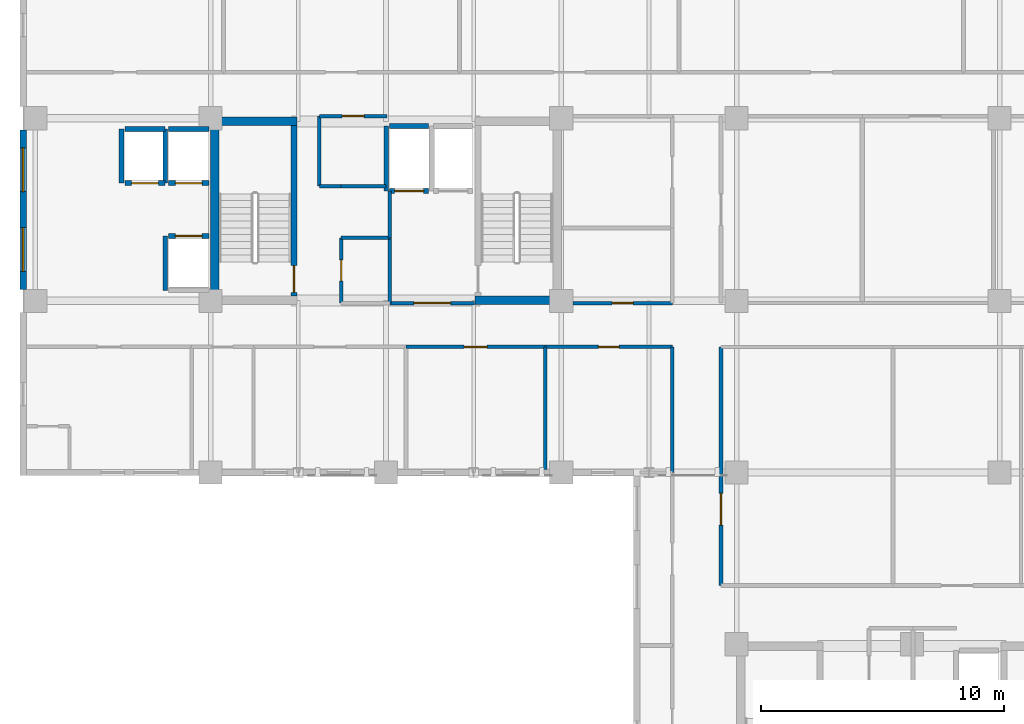
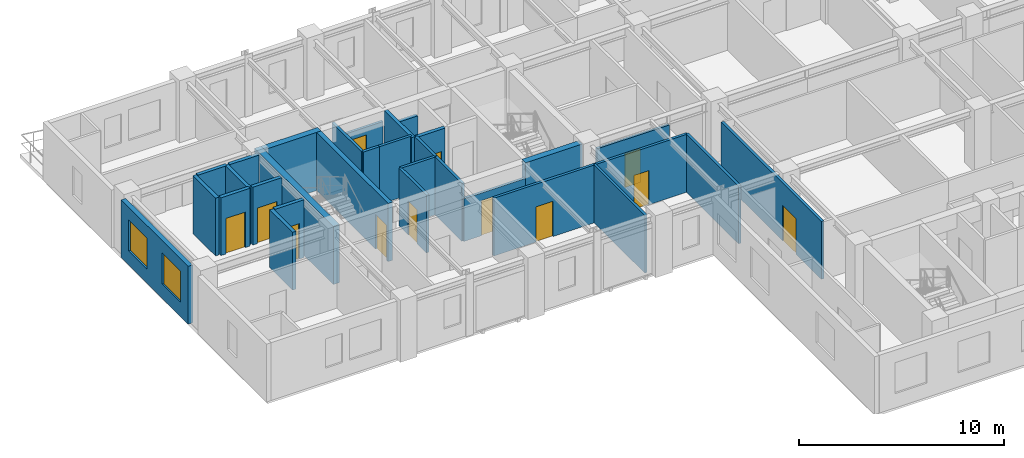
# One storey, part 6 of 13: 31 walls, 12 doors, 2 windows, 14 openings.
"""IFC4 building model written with IfcOpenShell, lengths in metres."""

import ifcopenshell
import ifcopenshell.guid

model = None  # the IFC model being written
_history = None  # IfcOwnerHistory: only IFC2X3 demands one
_inside = {}  # id of a spatial element -> (the spatial element, [elements in it])
_under = {}  # id of a project, library or spatial element -> (it, [spatial elements below it])
_declared = {}  # id of a project -> (the project, [libraries it declares])
_typed = {}  # id of a type object -> (the type object, [elements of that type])
_made_of = {}  # id of a material, layer set ... -> (it, [elements and type objects made of it])


def new_model(schema):
    """Start an empty IFC model of exactly this schema.

    Asked for "IFC4X3", IfcOpenShell would pick the latest addendum, in which some entities
    have other attributes; the version numbers below select the first issue.
    IFC2X3 requires an IfcOwnerHistory on every rooted entity: one is made here for all.
    """
    global model, _history
    if schema == "IFC4X3":
        model = ifcopenshell.file(schema_version=(4, 3, 0, 0))
    else:
        model = ifcopenshell.file(schema=schema)
    _inside.clear()
    _under.clear()
    _declared.clear()
    _typed.clear()
    _made_of.clear()
    _history = None
    if model.schema == "IFC2X3":
        org = make("IfcOrganization", Name="unknown")
        user = make(
            "IfcPersonAndOrganization",
            ThePerson=make("IfcPerson", FamilyName="unknown"),
            TheOrganization=org,
        )
        app = make(
            "IfcApplication",
            ApplicationDeveloper=org,
            Version="unknown",
            ApplicationFullName="unknown",
            ApplicationIdentifier="unknown",
        )
        _history = make(
            "IfcOwnerHistory",
            OwningUser=user,
            OwningApplication=app,
            ChangeAction="ADDED",
            CreationDate=0,
        )
    return model


def make(cls, **values):
    """One entity of the class cls with the attributes given. An attribute that is None is left unset."""
    return model.create_entity(
        cls, **{name: value for name, value in values.items() if value is not None}
    )


def rooted(cls, **values):
    """An entity with a GlobalId (a new one), such as an element, a storey or a relation."""
    return make(cls, GlobalId=ifcopenshell.guid.new(), OwnerHistory=_history, **values)


def si_unit(unit_type, name, prefix=None):
    """IfcSIUnit, for example si_unit("LENGTHUNIT", "METRE", prefix="MILLI")."""
    return make("IfcSIUnit", UnitType=unit_type, Prefix=prefix, Name=name)


def assignment(units):
    """IfcUnitAssignment: the units of a project."""
    return None if units is None else make("IfcUnitAssignment", Units=units)


def point(xyz):
    """IfcCartesianPoint."""
    return None if xyz is None else make("IfcCartesianPoint", Coordinates=xyz)


def direction(xyz):
    """IfcDirection."""
    return None if xyz is None else make("IfcDirection", DirectionRatios=xyz)


def frame(location, z_axis=None, x_axis=None):
    """IfcAxis2Placement3D, a coordinate frame: its origin and axes. An axis left out is left unset."""
    return make(
        "IfcAxis2Placement3D",
        Location=point(location),
        Axis=direction(z_axis),
        RefDirection=direction(x_axis),
    )


def frame_2d(location, x_axis=None):
    """IfcAxis2Placement2D, a coordinate frame in the plane: its origin and x axis."""
    return make(
        "IfcAxis2Placement2D", Location=point(location), RefDirection=direction(x_axis)
    )


def origin():
    """The frame at (0, 0, 0) with its axes left unset."""
    return frame((0.0, 0.0, 0.0))


def place(relative_to, where):
    """IfcLocalPlacement: puts the frame where relative to a parent placement (None: the world)."""
    return make(
        "IfcLocalPlacement", PlacementRelTo=relative_to, RelativePlacement=where
    )


def context(
    kind, dimensions, precision=None, world=None, true_north=None, identifier=None
):
    """IfcGeometricRepresentationContext, for example the 3D "Model" context."""
    return make(
        "IfcGeometricRepresentationContext",
        ContextIdentifier=identifier,
        ContextType=kind,
        CoordinateSpaceDimension=dimensions,
        Precision=precision,
        WorldCoordinateSystem=world,
        TrueNorth=true_north,
    )


def subcontext(parent, identifier, kind, view, scale=None):
    """IfcGeometricRepresentationSubContext, for example "Body" below "Model"."""
    return make(
        "IfcGeometricRepresentationSubContext",
        ContextIdentifier=identifier,
        ContextType=kind,
        ParentContext=parent,
        TargetScale=scale,
        TargetView=view,
    )


def project(units=None, contexts=None):
    """IfcProject with its units and contexts."""
    return rooted(
        "IfcProject",
        Name="project",
        RepresentationContexts=contexts,
        UnitsInContext=assignment(units),
    )


def spatial(cls, under=None, at=None, **own):
    """A site, building, storey or space (cls), placed at a placement, below another one or the project."""
    s = rooted(cls, ObjectPlacement=at, **own)
    if under is not None:
        _under.setdefault(under.id(), (under, []))[1].append(s)
    return s


def profile(cls, at=None, kind="AREA", **sizes):
    """A parametric profile (cls). Its sizes go by their IFC names, for example OverallWidth=200.0."""
    return make(cls, ProfileType=kind, Position=at, **sizes)


def rectangle(**sizes):
    """IfcRectangleProfileDef."""
    return profile("IfcRectangleProfileDef", **sizes)


def extrude(swept, where, along, depth):
    """IfcExtrudedAreaSolid: the profile swept, set in the frame where, extruded along a direction by depth."""
    return make(
        "IfcExtrudedAreaSolid",
        SweptArea=swept,
        Position=where,
        ExtrudedDirection=direction(along),
        Depth=depth,
    )


def shape(context_of_items, identifier, shape_type, items):
    """IfcShapeRepresentation: the items that make up one representation, for example the "Body"."""
    return make(
        "IfcShapeRepresentation",
        ContextOfItems=context_of_items,
        RepresentationIdentifier=identifier,
        RepresentationType=shape_type,
        Items=items,
    )


def material(Name=None, Category=None):
    """IfcMaterial."""
    return make("IfcMaterial", Name=Name, Category=Category)


def layer(
    of_material, thickness, ventilated=None, Name=None, Category=None, Priority=None
):
    """IfcMaterialLayer: one layer of a wall or slab, of a material (None: an air gap)."""
    return make(
        "IfcMaterialLayer",
        Material=of_material,
        LayerThickness=thickness,
        IsVentilated=ventilated,
        Name=Name,
        Category=Category,
        Priority=Priority,
    )


def layer_set(layers, Name=None):
    """IfcMaterialLayerSet."""
    return make("IfcMaterialLayerSet", MaterialLayers=layers, LayerSetName=Name)


def made_of(thing, what):
    """Note that an element or type object is made of a material, layer set ...; save() writes the relation."""
    if what is not None:
        _made_of.setdefault(what.id(), (what, []))[1].append(thing)
    return thing


def type_object(cls, material=None, **own):
    """A type object (cls), such as IfcWallType, which elements share."""
    return made_of(rooted(cls, **own), material)


def element(
    cls,
    number,
    at=None,
    inside=None,
    cuts=None,
    type_object=None,
    material=None,
    context=None,
    identifier="Body",
    shape_type=None,
    held_by="IfcProductDefinitionShape",
    body=None,
    shapes=None,
    **own,
):
    """One element of the class cls, such as IfcWall. Its Tag is "e" and its number.

    at: its placement. inside: the storey or other place that contains it. cuts: it is an
    opening in that element (IfcRelVoidsElement). A single representation is given by context,
    identifier, shape_type and body (its items); several are given by shapes. held_by: the class
    of the entity that holds the representations. save() writes the other relations.
    """
    e = rooted(cls, Tag="e%d" % number, ObjectPlacement=at, **own)
    if body is not None:
        shapes = [shape(context, identifier, shape_type, body)]
    if shapes is not None:
        e.Representation = make(held_by, Representations=shapes)
    if inside is not None:
        _inside.setdefault(inside.id(), (inside, []))[1].append(e)
    if cuts is not None:
        rooted(
            "IfcRelVoidsElement", RelatingBuildingElement=cuts, RelatedOpeningElement=e
        )
    if type_object is not None:
        _typed.setdefault(type_object.id(), (type_object, []))[1].append(e)
    return made_of(e, material)


def fill(opening, filler):
    """IfcRelFillsElement: the door or window that sits in an opening."""
    return rooted(
        "IfcRelFillsElement",
        RelatingOpeningElement=opening,
        RelatedBuildingElement=filler,
    )


def aggregate(whole, parts):
    """IfcRelAggregates: a whole, such as a stair, and the parts it consists of."""
    return rooted("IfcRelAggregates", RelatingObject=whole, RelatedObjects=parts)


def save(model, path):
    """Write the relations noted so far, then the file.

    IfcRelAggregates (storeys below a building ...), IfcRelContainedInSpatialStructure (elements
    in a storey), IfcRelDefinesByType, IfcRelAssociatesMaterial and IfcRelDeclares: one each for
    every whole, place, type object, material and project.
    """
    for whole, parts in _under.values():
        aggregate(whole, parts)
    for where, things in _inside.values():
        rooted(
            "IfcRelContainedInSpatialStructure",
            RelatedElements=things,
            RelatingStructure=where,
        )
    for kind, things in _typed.values():
        rooted("IfcRelDefinesByType", RelatedObjects=things, RelatingType=kind)
    for what, things in _made_of.values():
        rooted("IfcRelAssociatesMaterial", RelatedObjects=things, RelatingMaterial=what)
    for by, libraries in _declared.values():
        rooted("IfcRelDeclares", RelatingContext=by, RelatedDefinitions=libraries)
    model.write(path)


model = new_model("IFC4")

# Units and contexts
model_context = context("Model", 3, precision=1e-05, world=origin(), true_north=direction((0.0, 1.0)))
body_context = subcontext(model_context, "Body", "Model", "MODEL_VIEW")
ifc_project = project(units=[si_unit("LENGTHUNIT", "METRE"), si_unit("AREAUNIT", "SQUARE_METRE"), si_unit("VOLUMEUNIT", "CUBIC_METRE"), si_unit("PLANEANGLEUNIT", "RADIAN"), si_unit("MASSUNIT", "GRAM", prefix="KILO")], contexts=[model_context])

# Site, building, storey
site_placement = place(None, origin())
site = spatial("IfcSite", under=ifc_project, at=site_placement, CompositionType="ELEMENT")
building_placement = place(site_placement, origin())
building = spatial("IfcBuilding", under=site, at=building_placement, Name="Kaliganga Portal Commons", CompositionType="ELEMENT")
storey_placement = place(building_placement, frame((0.0, 0.0, 212.89990234375)))
storey = spatial("IfcBuildingStorey", under=building, at=storey_placement, Name="L54", CompositionType="ELEMENT", Elevation=212.89990234375)

# Walls
ifc_material_1 = material(Name="Concrete C50/60", Category="concrete")
ifc_layer_1 = layer(ifc_material_1, 0.35009765625)
ifc_layer_set_1 = layer_set([ifc_layer_1], Name="Concrete C50/60")
wall_type_1 = type_object("IfcWallType", Name="WL-CORE-350", PredefinedType="SHEAR", material=ifc_layer_set_1)
wall_1_placement = place(storey_placement, frame((14.574951171875, 28.5, 0.0), z_axis=(0.0, 0.0, 1.0), x_axis=(0.0, 1.0, 0.0)))
element("IfcWall", 1, at=wall_1_placement, inside=storey, type_object=wall_type_1, Name="Core A West Shear Wall L54", PredefinedType="SHEAR", context=body_context, shape_type="SweptSolid", body=[
    extrude(rectangle(XDim=7.699951171875, YDim=0.35009765625, at=frame_2d((3.85009765625, 0.0))), origin(), (0.0, 0.0, 1.0), 3.47021484375),
])
for number, where, z_axis, x_axis, name in (
    (2, (25.25, 28.675048828125, 0.0), (0.0, 0.0, 1.0), (1.0, 0.0, 0.0), "Core A S-East Shear Wall L54"),
    (3, (14.75, 36.02490234375, 0.0), (0.0, 0.0, 1.0), (1.0, 0.0, 0.0), "Core A N-West Shear Wall L54"),
):
    element("IfcWall", number, at=place(storey_placement, frame(where, z_axis=z_axis, x_axis=x_axis)), inside=storey, type_object=wall_type_1, Name=name, PredefinedType="SHEAR", context=body_context, shape_type="SweptSolid", body=[
        extrude(rectangle(XDim=3.199951171875, YDim=0.35009765625, at=frame_2d((1.60009765625, 0.0))), origin(), (0.0, 0.0, 1.0), 3.47021484375),
    ])

# Wall, openings, windows
ifc_material_2 = material(Name="Insulated Aluminium-Clad Spandrel Assembly", Category="aluminium")
ifc_layer_2 = layer(ifc_material_2, 0.260009765625)
ifc_layer_set_2 = layer_set([ifc_layer_2], Name="Insulated Aluminium-Clad Spandrel Assembly")
wall_type_2 = type_object("IfcWallType", Name="WL-EXT-SPAND-260", PredefinedType="STANDARD", material=ifc_layer_set_2)
wall_2_placement = place(storey_placement, frame((6.699951171875, 29.1259765625, 0.0), z_axis=(0.0, 0.0, 1.0), x_axis=(0.0, 1.0, 0.0)))
wall_2 = element("IfcWall", 4, at=wall_2_placement, inside=storey, type_object=wall_type_2, Name="Exterior Envelope Wall L54 P1-E03-S2", PredefinedType="STANDARD", context=body_context, shape_type="SweptSolid", body=[
    extrude(rectangle(XDim=6.548095703125, YDim=0.260009765625, at=frame_2d((3.27392578125, 0.0))), origin(), (0.0, 0.0, 1.0), 3.4501953125),
])
opening_1_placement = place(wall_2_placement, frame((0.737060546875, 0.0, 0.85009765625)))
opening_1 = element("IfcOpeningElement", 5, at=opening_1_placement, cuts=wall_2, Name="Opening W-01", PredefinedType="OPENING", context=body_context, shape_type="SweptSolid", body=[
    extrude(rectangle(XDim=1.800048828125, YDim=1.85009765625, at=frame_2d((0.89990234375, 0.925048828125))), frame((0.0, 0.14013671875, 0.0), z_axis=(0.0, -1.0, 0.0), x_axis=(1.0, 0.0, 0.0)), (0.0, 0.0, 1.0), 0.280029296875),
])
opening_2_placement = place(wall_2_placement, frame((4.010986328125, 0.0, 0.85009765625)))
opening_2 = element("IfcOpeningElement", 6, at=opening_2_placement, cuts=wall_2, Name="Opening W-01", PredefinedType="OPENING", context=body_context, shape_type="SweptSolid", body=[
    extrude(rectangle(XDim=1.800048828125, YDim=1.85009765625, at=frame_2d((0.89990234375, 0.925048828125))), frame((0.0, 0.14013671875, 0.0), z_axis=(0.0, -1.0, 0.0), x_axis=(1.0, 0.0, 0.0)), (0.0, 0.0, 1.0), 0.280029296875),
])
ifc_material_3 = material(Name="Thermally Broken Aluminium and Low-E Double Glazing", Category="aluminium")
window_type = type_object("IfcWindowType", Name="WIN-STD-1800", PartitioningType="DOUBLE_PANEL_VERTICAL", PredefinedType="WINDOW", material=ifc_material_3)
window_1_placement = place(opening_1_placement, origin())
window_1 = element("IfcWindow", 7, at=window_1_placement, inside=storey, type_object=window_type, Name="Facade Window L54-P1E03S2-00", OverallHeight=1.85009765625, OverallWidth=1.800048828125, PartitioningType="SINGLE_PANEL", PredefinedType="WINDOW", context=body_context, shape_type="SweptSolid", body=[
    extrude(rectangle(XDim=1.800048828125, YDim=1.85009765625, at=frame_2d((0.89990234375, 0.925048828125))), frame((0.0, 0.030029296875, 0.0), z_axis=(0.0, -1.0, 0.0), x_axis=(1.0, 0.0, 0.0)), (0.0, 0.0, 1.0), 0.06005859375),
])
fill(opening_1, window_1)
window_2_placement = place(opening_2_placement, origin())
window_2 = element("IfcWindow", 8, at=window_2_placement, inside=storey, type_object=window_type, Name="Facade Window L54-P1E03S2-01", OverallHeight=1.85009765625, OverallWidth=1.800048828125, PartitioningType="SINGLE_PANEL", PredefinedType="WINDOW", context=body_context, shape_type="SweptSolid", body=[
    extrude(rectangle(XDim=1.800048828125, YDim=1.85009765625, at=frame_2d((0.89990234375, 0.925048828125))), frame((0.0, 0.030029296875, 0.0), z_axis=(0.0, -1.0, 0.0), x_axis=(1.0, 0.0, 0.0)), (0.0, 0.0, 1.0), 0.06005859375),
])
fill(opening_2, window_2)

# Wall, opening, door
ifc_material_4 = material(Name="Fire-Rated Gypsum Board on Steel Stud", Category="steel")
ifc_layer_3 = layer(ifc_material_4, 0.14990234375)
ifc_layer_set_3 = layer_set([ifc_layer_3], Name="Fire-Rated Gypsum Board on Steel Stud")
wall_type_3 = type_object("IfcWallType", Name="WL-PART-CORR-150", PredefinedType="PARTITIONING", material=ifc_layer_set_3)
wall_3_placement = place(storey_placement, frame((35.360107421875, 16.9599609375, 0.0), z_axis=(0.0, 0.0, 1.0), x_axis=(0.0, 1.0, 0.0)))
wall_3 = element("IfcWall", 9, at=wall_3_placement, inside=storey, type_object=wall_type_3, Name="Interior Partition L54-007", PredefinedType="PARTITIONING", context=body_context, shape_type="SweptSolid", body=[
    extrude(rectangle(XDim=9.800048828125, YDim=0.14990234375, at=frame_2d((4.89990234375, 0.0))), origin(), (0.0, 0.0, 1.0), 3.4501953125),
])
opening_3_placement = place(wall_3_placement, frame((2.486083984375, 0.0, 0.0)))
opening_3 = element("IfcOpeningElement", 10, at=opening_3_placement, cuts=wall_3, Name="Opening RD-03", PredefinedType="OPENING", context=body_context, shape_type="SweptSolid", body=[
    extrude(rectangle(XDim=1.300048828125, YDim=2.1201171875, at=frame_2d((0.64990234375, 1.06005859375))), frame((0.0, 0.0849609375, 0.0), z_axis=(0.0, -1.0, 0.0), x_axis=(1.0, 0.0, 0.0)), (0.0, 0.0, 1.0), 0.169921875),
])
ifc_material_5 = material(Name="Glazed Timber Seminar Vision Door", Category="wood")
door_type_1 = type_object("IfcDoorType", Name="DR-STUDY-1300", OperationType="DOUBLE_DOOR_SINGLE_SWING", PredefinedType="DOOR", material=ifc_material_5)
door_1_placement = place(opening_3_placement, origin())
door_1 = element("IfcDoor", 11, at=door_1_placement, inside=storey, type_object=door_type_1, Name="Interior Door L54-BM01", OperationType="DOUBLE_DOOR_SINGLE_SWING", OverallHeight=2.1201171875, OverallWidth=1.300048828125, PredefinedType="DOOR", context=body_context, shape_type="SweptSolid", body=[
    extrude(rectangle(XDim=1.300048828125, YDim=2.1201171875, at=frame_2d((0.64990234375, 1.06005859375))), frame((0.0, 0.02490234375, 0.0), z_axis=(0.0, -1.0, 0.0), x_axis=(1.0, 0.0, 0.0)), (0.0, 0.0, 1.0), 0.050048828125),
])
fill(opening_3, door_1)

wall_4_placement = place(storey_placement, frame((22.419921875, 26.760009765625, 0.0), z_axis=(0.0, 0.0, 1.0), x_axis=(1.0, 0.0, 0.0)))
wall_4 = element("IfcWall", 12, at=wall_4_placement, inside=storey, type_object=wall_type_3, Name="Interior Partition L54-021", PredefinedType="PARTITIONING", context=body_context, shape_type="SweptSolid", body=[
    extrude(rectangle(XDim=5.719970703125, YDim=0.14990234375, at=frame_2d((2.85986328125, 0.0))), origin(), (0.0, 0.0, 1.0), 3.4501953125),
])
opening_4_placement = place(wall_4_placement, frame((2.385009765625, 0.0, 0.0)))
opening_4 = element("IfcOpeningElement", 13, at=opening_4_placement, cuts=wall_4, Name="Opening UD-01", PredefinedType="OPENING", context=body_context, shape_type="SweptSolid", body=[
    extrude(rectangle(XDim=0.949951171875, YDim=2.10009765625, at=frame_2d((0.47509765625, 1.050048828125))), frame((0.0, 0.0849609375, 0.0), z_axis=(0.0, -1.0, 0.0), x_axis=(1.0, 0.0, 0.0)), (0.0, 0.0, 1.0), 0.169921875),
])
ifc_material_6 = material(Name="Solid-Core Timber Acoustic Fire Door", Category="wood")
door_type_2 = type_object("IfcDoorType", Name="DR-UNIT-950", OperationType="NOTDEFINED", PredefinedType="DOOR", material=ifc_material_6)
door_2_placement = place(opening_4_placement, origin())
door_2 = element("IfcDoor", 14, at=door_2_placement, inside=storey, type_object=door_type_2, Name="Interior Door L54-AS04", OperationType="SINGLE_SWING_RIGHT", OverallHeight=2.10009765625, OverallWidth=0.949951171875, PredefinedType="DOOR", context=body_context, shape_type="SweptSolid", body=[
    extrude(rectangle(XDim=0.949951171875, YDim=2.10009765625, at=frame_2d((0.47509765625, 1.050048828125))), frame((0.0, 0.02490234375, 0.0), z_axis=(0.0, -1.0, 0.0), x_axis=(1.0, 0.0, 0.0)), (0.0, 0.0, 1.0), 0.050048828125),
])
fill(opening_4, door_2)

wall_5_placement = place(storey_placement, frame((28.139892578125, 26.760009765625, 0.0), z_axis=(0.0, 0.0, 1.0), x_axis=(1.0, 0.0, 0.0)))
wall_5 = element("IfcWall", 15, at=wall_5_placement, inside=storey, type_object=wall_type_3, Name="Interior Partition L54-024", PredefinedType="PARTITIONING", context=body_context, shape_type="SweptSolid", body=[
    extrude(rectangle(XDim=5.22021484375, YDim=0.14990234375, at=frame_2d((2.610107421875, 0.0))), origin(), (0.0, 0.0, 1.0), 3.4501953125),
])
opening_5_placement = place(wall_5_placement, frame((2.18505859375, 0.0, 0.0)))
opening_5 = element("IfcOpeningElement", 16, at=opening_5_placement, cuts=wall_5, Name="Opening WD-01", PredefinedType="OPENING", context=body_context, shape_type="SweptSolid", body=[
    extrude(rectangle(XDim=0.85009765625, YDim=2.0400390625, at=frame_2d((0.425048828125, 1.02001953125))), frame((0.0, 0.0849609375, 0.0), z_axis=(0.0, -1.0, 0.0), x_axis=(1.0, 0.0, 0.0)), (0.0, 0.0, 1.0), 0.169921875),
])
ifc_material_7 = material(Name="Moisture-Resistant Laminate Timber Door", Category="wood")
door_type_3 = type_object("IfcDoorType", Name="DR-WET-850", OperationType="NOTDEFINED", PredefinedType="DOOR", material=ifc_material_7)
door_3_placement = place(opening_5_placement, origin())
door_3 = element("IfcDoor", 17, at=door_3_placement, inside=storey, type_object=door_type_3, Name="Interior Door L54-AS05", OperationType="SINGLE_SWING_LEFT", OverallHeight=2.0400390625, OverallWidth=0.85009765625, PredefinedType="DOOR", context=body_context, shape_type="SweptSolid", body=[
    extrude(rectangle(XDim=0.85009765625, YDim=2.0400390625, at=frame_2d((0.425048828125, 1.02001953125))), frame((0.0, 0.02490234375, 0.0), z_axis=(0.0, -1.0, 0.0), x_axis=(1.0, 0.0, 0.0)), (0.0, 0.0, 1.0), 0.050048828125),
])
fill(opening_5, door_3)

# Wall
wall_6_placement = place(storey_placement, frame((33.360107421875, 21.60009765625, 0.0), z_axis=(0.0, 0.0, 1.0), x_axis=(0.0, 1.0, 0.0)))
element("IfcWall", 18, at=wall_6_placement, inside=storey, type_object=wall_type_3, Name="Interior Partition L54-025", PredefinedType="PARTITIONING", context=body_context, shape_type="SweptSolid", body=[
    extrude(rectangle(XDim=5.159912109375, YDim=0.14990234375, at=frame_2d((2.580078125, 0.0))), origin(), (0.0, 0.0, 1.0), 3.4501953125),
])

# Wall, opening, door
wall_7_placement = place(storey_placement, frame((29.27490234375, 28.56005859375, 0.0), z_axis=(0.0, 0.0, 1.0), x_axis=(1.0, 0.0, 0.0)))
wall_7 = element("IfcWall", 19, at=wall_7_placement, inside=storey, type_object=wall_type_3, Name="Interior Partition L54-029", PredefinedType="PARTITIONING", context=body_context, shape_type="SweptSolid", body=[
    extrude(rectangle(XDim=4.085205078125, YDim=0.14990234375, at=frame_2d((2.04248046875, 0.0))), origin(), (0.0, 0.0, 1.0), 2.900146484375),
])
opening_6_placement = place(wall_7_placement, frame((1.612548828125, 0.0, 0.0)))
opening_6 = element("IfcOpeningElement", 20, at=opening_6_placement, cuts=wall_7, Name="Opening WD-02", PredefinedType="OPENING", context=body_context, shape_type="SweptSolid", body=[
    extrude(rectangle(XDim=0.860107421875, YDim=2.02001953125, at=frame_2d((0.43017578125, 1.010009765625))), frame((0.0, 0.0849609375, 0.0), z_axis=(0.0, -1.0, 0.0), x_axis=(1.0, 0.0, 0.0)), (0.0, 0.0, 1.0), 0.169921875),
])
ifc_material_8 = material(Name="Fire-Rated Utility Closet Door", Category="wood")
door_type_4 = type_object("IfcDoorType", Name="DR-STORE-800", OperationType="NOTDEFINED", PredefinedType="DOOR", material=ifc_material_8)
door_4_placement = place(opening_6_placement, origin())
door_4 = element("IfcDoor", 21, at=door_4_placement, inside=storey, type_object=door_type_4, Name="Interior Door L54-CSRV_A1", OperationType="SINGLE_SWING_RIGHT", OverallHeight=2.02001953125, OverallWidth=0.860107421875, PredefinedType="DOOR", context=body_context, shape_type="SweptSolid", body=[
    extrude(rectangle(XDim=0.860107421875, YDim=2.02001953125, at=frame_2d((0.43017578125, 1.010009765625))), frame((0.0, 0.02490234375, 0.0), z_axis=(0.0, -1.0, 0.0), x_axis=(1.0, 0.0, 0.0)), (0.0, 0.0, 1.0), 0.050048828125),
])
fill(opening_6, door_4)

# Wall
wall_8_placement = place(storey_placement, frame((18.860107421875, 33.360107421875, 0.0), z_axis=(0.0, 0.0, 1.0), x_axis=(0.0, 1.0, 0.0)))
element("IfcWall", 22, at=wall_8_placement, inside=storey, type_object=wall_type_3, Name="Interior Partition L54-033", PredefinedType="PARTITIONING", context=body_context, shape_type="SweptSolid", body=[
    extrude(rectangle(XDim=2.8798828125, YDim=0.14990234375, at=frame_2d((1.43994140625, 0.0))), origin(), (0.0, 0.0, 1.0), 3.4501953125),
])

# Wall, opening, door
wall_9_placement = place(storey_placement, frame((18.860107421875, 36.239990234375, 0.0), z_axis=(0.0, 0.0, 1.0), x_axis=(1.0, 0.0, 0.0)))
wall_9 = element("IfcWall", 23, at=wall_9_placement, inside=storey, type_object=wall_type_3, Name="Interior Partition L54-035", PredefinedType="PARTITIONING", context=body_context, shape_type="SweptSolid", body=[
    extrude(rectangle(XDim=2.77978515625, YDim=0.14990234375, at=frame_2d((1.389892578125, 0.0))), origin(), (0.0, 0.0, 1.0), 2.550048828125),
])
opening_7_placement = place(wall_9_placement, frame((0.93994140625, 0.0, 0.0)))
opening_7 = element("IfcOpeningElement", 24, at=opening_7_placement, cuts=wall_9, Name="Opening RD-01", PredefinedType="OPENING", context=body_context, shape_type="SweptSolid", body=[
    extrude(rectangle(XDim=0.89990234375, YDim=2.080078125, at=frame_2d((0.449951171875, 1.0400390625))), frame((0.0, 0.0849609375, 0.0), z_axis=(0.0, -1.0, 0.0), x_axis=(1.0, 0.0, 0.0)), (0.0, 0.0, 1.0), 0.169921875),
])
ifc_material_9 = material(Name="Engineered Timber Flush Door", Category="wood")
door_type_5 = type_object("IfcDoorType", Name="DR-ROOM-900", OperationType="NOTDEFINED", PredefinedType="DOOR", material=ifc_material_9)
door_5_placement = place(opening_7_placement, origin())
door_5 = element("IfcDoor", 25, at=door_5_placement, inside=storey, type_object=door_type_5, Name="Interior Door L54-CREC_A1", OperationType="SINGLE_SWING_LEFT", OverallHeight=2.080078125, OverallWidth=0.89990234375, PredefinedType="DOOR", context=body_context, shape_type="SweptSolid", body=[
    extrude(rectangle(XDim=0.89990234375, YDim=2.080078125, at=frame_2d((0.449951171875, 1.0400390625))), frame((0.0, 0.02490234375, 0.0), z_axis=(0.0, -1.0, 0.0), x_axis=(1.0, 0.0, 0.0)), (0.0, 0.0, 1.0), 0.050048828125),
])
fill(opening_7, door_5)

wall_10_placement = place(storey_placement, frame((19.760009765625, 28.56005859375, 0.0), z_axis=(0.0, 0.0, 1.0), x_axis=(0.0, 1.0, 0.0)))
wall_10 = element("IfcWall", 26, at=wall_10_placement, inside=storey, type_object=wall_type_3, Name="Interior Partition L54-036", PredefinedType="PARTITIONING", context=body_context, shape_type="SweptSolid", body=[
    extrude(rectangle(XDim=2.679931640625, YDim=0.14990234375, at=frame_2d((1.33984375, 0.0))), origin(), (0.0, 0.0, 1.0), 3.4501953125),
])
opening_8_placement = place(wall_10_placement, frame((0.909912109375, 0.0, 0.0)))
opening_8 = element("IfcOpeningElement", 27, at=opening_8_placement, cuts=wall_10, Name="Opening WD-02", PredefinedType="OPENING", context=body_context, shape_type="SweptSolid", body=[
    extrude(rectangle(XDim=0.860107421875, YDim=2.02001953125, at=frame_2d((0.43017578125, 1.010009765625))), frame((0.0, 0.0849609375, 0.0), z_axis=(0.0, -1.0, 0.0), x_axis=(1.0, 0.0, 0.0)), (0.0, 0.0, 1.0), 0.169921875),
])
door_6_placement = place(opening_8_placement, origin())
door_6 = element("IfcDoor", 28, at=door_6_placement, inside=storey, type_object=door_type_4, Name="Interior Door L54-CIN_A1", OperationType="SINGLE_SWING_RIGHT", OverallHeight=2.02001953125, OverallWidth=0.860107421875, PredefinedType="DOOR", context=body_context, shape_type="SweptSolid", body=[
    extrude(rectangle(XDim=0.860107421875, YDim=2.02001953125, at=frame_2d((0.43017578125, 1.010009765625))), frame((0.0, 0.02490234375, 0.0), z_axis=(0.0, -1.0, 0.0), x_axis=(1.0, 0.0, 0.0)), (0.0, 0.0, 1.0), 0.050048828125),
])
fill(opening_8, door_6)

# Walls
wall_11_placement = place(storey_placement, frame((21.760009765625, 28.56005859375, 0.0), z_axis=(0.0, 0.0, 1.0), x_axis=(0.0, 1.0, 0.0)))
element("IfcWall", 29, at=wall_11_placement, inside=storey, type_object=wall_type_3, Name="Interior Partition L54-037", PredefinedType="PARTITIONING", context=body_context, shape_type="SweptSolid", body=[
    extrude(rectangle(XDim=2.679931640625, YDim=0.14990234375, at=frame_2d((1.33984375, 0.0))), origin(), (0.0, 0.0, 1.0), 3.4501953125),
])
wall_12_placement = place(storey_placement, frame((19.760009765625, 31.239990234375, 0.0), z_axis=(0.0, 0.0, 1.0), x_axis=(1.0, 0.0, 0.0)))
element("IfcWall", 30, at=wall_12_placement, inside=storey, type_object=wall_type_3, Name="Interior Partition L54-040", PredefinedType="PARTITIONING", context=body_context, shape_type="SweptSolid", body=[
    extrude(rectangle(XDim=2.0, YDim=0.14990234375, at=frame_2d((1.0, 0.0))), origin(), (0.0, 0.0, 1.0), 3.4501953125),
])
wall_13_placement = place(storey_placement, frame((19.760009765625, 33.360107421875, 0.0), z_axis=(0.0, 0.0, 1.0), x_axis=(1.0, 0.0, 0.0)))
element("IfcWall", 31, at=wall_13_placement, inside=storey, type_object=wall_type_3, Name="Interior Partition L54-041", PredefinedType="PARTITIONING", context=body_context, shape_type="SweptSolid", body=[
    extrude(rectangle(XDim=1.85009765625, YDim=0.14990234375, at=frame_2d((0.925048828125, 0.0))), origin(), (0.0, 0.0, 1.0), 3.4501953125),
])
wall_14_placement = place(storey_placement, frame((18.860107421875, 33.360107421875, 0.0), z_axis=(0.0, 0.0, 1.0), x_axis=(1.0, 0.0, 0.0)))
element("IfcWall", 32, at=wall_14_placement, inside=storey, type_object=wall_type_3, Name="Interior Partition L54-048", PredefinedType="PARTITIONING", context=body_context, shape_type="SweptSolid", body=[
    extrude(rectangle(XDim=0.89990234375, YDim=0.14990234375, at=frame_2d((0.449951171875, 0.0))), origin(), (0.0, 0.0, 1.0), 3.4501953125),
])

# Wall, opening, door
wall_15_placement = place(storey_placement, frame((21.760009765625, 28.56005859375, 0.0), z_axis=(0.0, 0.0, 1.0), x_axis=(1.0, 0.0, 0.0)))
wall_15 = element("IfcWall", 33, at=wall_15_placement, inside=storey, type_object=wall_type_3, Name="Interior Partition L54-076", PredefinedType="PARTITIONING", context=body_context, shape_type="SweptSolid", body=[
    extrude(rectangle(XDim=3.47998046875, YDim=0.14990234375, at=frame_2d((1.739990234375, 0.0))), origin(), (0.0, 0.0, 1.0), 2.550048828125),
])
opening_9_placement = place(wall_15_placement, frame((0.989990234375, 0.0, 0.0)))
opening_9 = element("IfcOpeningElement", 34, at=opening_9_placement, cuts=wall_15, Name="Opening FD-01", PredefinedType="OPENING", context=body_context, shape_type="SweptSolid", body=[
    extrude(rectangle(XDim=1.5, YDim=2.10009765625, at=frame_2d((0.75, 1.050048828125))), frame((0.0, 0.0849609375, 0.0), z_axis=(0.0, -1.0, 0.0), x_axis=(1.0, 0.0, 0.0)), (0.0, 0.0, 1.0), 0.169921875),
])
ifc_material_10 = material(Name="Fire-Rated Hardwood and Georgian-Wired Vision Panel", Category="wood")
door_type_6 = type_object("IfcDoorType", Name="DR-LOBBY-1500", OperationType="DOUBLE_DOOR_SINGLE_SWING", PredefinedType="DOOR", material=ifc_material_10)
door_7_placement = place(opening_9_placement, origin())
door_7 = element("IfcDoor", 35, at=door_7_placement, inside=storey, type_object=door_type_6, Name="Interior Door L54-FFLOB_A", OperationType="DOUBLE_DOOR_SINGLE_SWING", OverallHeight=2.10009765625, OverallWidth=1.5, PredefinedType="DOOR", context=body_context, shape_type="SweptSolid", body=[
    extrude(rectangle(XDim=1.5, YDim=2.10009765625, at=frame_2d((0.75, 1.050048828125))), frame((0.0, 0.02490234375, 0.0), z_axis=(0.0, -1.0, 0.0), x_axis=(1.0, 0.0, 0.0)), (0.0, 0.0, 1.0), 0.050048828125),
])
fill(opening_9, door_7)

# Walls
wall_16_placement = place(storey_placement, frame((21.760009765625, 31.239990234375, 0.0), z_axis=(0.0, 0.0, 1.0), x_axis=(0.0, 1.0, 0.0)))
element("IfcWall", 36, at=wall_16_placement, inside=storey, type_object=wall_type_3, Name="Interior Partition L54-078", PredefinedType="PARTITIONING", context=body_context, shape_type="SweptSolid", body=[
    extrude(rectangle(XDim=1.919921875, YDim=0.14990234375, at=frame_2d((0.9599609375, 0.0))), origin(), (0.0, 0.0, 1.0), 3.4501953125),
])
ifc_material_11 = material(Name="Cement-Board Wet-Room Partition", Category="gypsum")
ifc_layer_4 = layer(ifc_material_11, 0.135009765625)
ifc_layer_set_4 = layer_set([ifc_layer_4], Name="Cement-Board Wet-Room Partition")
wall_type_4 = type_object("IfcWallType", Name="WL-PART-WET-135", PredefinedType="PARTITIONING", material=ifc_layer_set_4)
wall_17_placement = place(storey_placement, frame((28.139892578125, 21.73193359375, 0.0), z_axis=(0.0, 0.0, 1.0), x_axis=(0.0, 1.0, 0.0)))
element("IfcWall", 37, at=wall_17_placement, inside=storey, type_object=wall_type_4, Name="Interior Partition L54-071", PredefinedType="PARTITIONING", context=body_context, shape_type="SweptSolid", body=[
    extrude(rectangle(XDim=5.028076171875, YDim=0.135009765625, at=frame_2d((2.51416015625, 0.0))), origin(), (0.0, 0.0, 1.0), 3.4501953125),
])

# Wall, opening, door
ifc_material_12 = material(Name="Fire-Rated Shaftwall Masonry Assembly", Category="masonry")
ifc_layer_5 = layer(ifc_material_12, 0.199951171875)
ifc_layer_set_5 = layer_set([ifc_layer_5], Name="Fire-Rated Shaftwall Masonry Assembly")
wall_type_5 = type_object("IfcWallType", Name="WL-SHAFT-200", PredefinedType="PARTITIONING", material=ifc_layer_set_5)
wall_18_placement = place(storey_placement, frame((12.675048828125, 33.485107421875, 0.0), z_axis=(0.0, 0.0, 1.0), x_axis=(1.0, 0.0, 0.0)))
wall_18 = element("IfcWall", 38, at=wall_18_placement, inside=storey, type_object=wall_type_5, Name="Lift PL-A3 Hoistway Shaft Wall L54-S", PredefinedType="PARTITIONING", context=body_context, shape_type="SweptSolid", body=[
    extrude(rectangle(XDim=1.64990234375, YDim=0.199951171875, at=frame_2d((0.824951171875, 0.0))), origin(), (0.0, 0.0, 1.0), 3.4501953125),
])
opening_10_placement = place(wall_18_placement, frame((0.27490234375, 0.0, 0.0)))
opening_10 = element("IfcOpeningElement", 39, at=opening_10_placement, cuts=wall_18, Name="Opening LD-01", PredefinedType="OPENING", context=body_context, shape_type="SweptSolid", body=[
    extrude(rectangle(XDim=1.10009765625, YDim=2.1201171875, at=frame_2d((0.550048828125, 1.06005859375))), frame((0.0, 0.10986328125, 0.0), z_axis=(0.0, -1.0, 0.0), x_axis=(1.0, 0.0, 0.0)), (0.0, 0.0, 1.0), 0.219970703125),
])
ifc_material_13 = material(Name="Brushed Stainless Steel 316 Lift Landing Door", Category="steel")
door_type_7 = type_object("IfcDoorType", Name="DR-LIFT-1100", OperationType="SLIDING_TO_LEFT", PredefinedType="DOOR", material=ifc_material_13)
door_8_placement = place(opening_10_placement, origin())
door_8 = element("IfcDoor", 40, at=door_8_placement, inside=storey, type_object=door_type_7, Name="Lift PL-A3 Sliding Landing Door L54", OperationType="SLIDING_TO_LEFT", OverallHeight=2.1201171875, OverallWidth=1.10009765625, PredefinedType="DOOR", context=body_context, shape_type="SweptSolid", body=[
    extrude(rectangle(XDim=1.10009765625, YDim=2.1201171875, at=frame_2d((0.550048828125, 1.06005859375))), frame((0.0, 0.02490234375, 0.0), z_axis=(0.0, -1.0, 0.0), x_axis=(1.0, 0.0, 0.0)), (0.0, 0.0, 1.0), 0.050048828125),
])
fill(opening_10, door_8)

# Walls
wall_19_placement = place(storey_placement, frame((12.675048828125, 35.715087890625, 0.0), z_axis=(0.0, 0.0, 1.0), x_axis=(1.0, 0.0, 0.0)))
element("IfcWall", 41, at=wall_19_placement, inside=storey, type_object=wall_type_5, Name="Lift PL-A3 Hoistway Shaft Wall L54-N", PredefinedType="PARTITIONING", context=body_context, shape_type="SweptSolid", body=[
    extrude(rectangle(XDim=1.64990234375, YDim=0.199951171875, at=frame_2d((0.824951171875, 0.0))), origin(), (0.0, 0.0, 1.0), 3.4501953125),
])
wall_20_placement = place(storey_placement, frame((12.534912109375, 33.485107421875, 0.0), z_axis=(0.0, 0.0, 1.0), x_axis=(0.0, 1.0, 0.0)))
element("IfcWall", 42, at=wall_20_placement, inside=storey, type_object=wall_type_5, Name="Lift PL-A3 Hoistway Shaft Wall L54-W", PredefinedType="PARTITIONING", context=body_context, shape_type="SweptSolid", body=[
    extrude(rectangle(XDim=2.22998046875, YDim=0.199951171875, at=frame_2d((1.114990234375, 0.0))), origin(), (0.0, 0.0, 1.0), 3.4501953125),
])

# Wall, opening, door
wall_21_placement = place(storey_placement, frame((12.675048828125, 31.31494140625, 0.0), z_axis=(0.0, 0.0, 1.0), x_axis=(1.0, 0.0, 0.0)))
wall_21 = element("IfcWall", 43, at=wall_21_placement, inside=storey, type_object=wall_type_5, Name="Lift PL-A4 Hoistway Shaft Wall L54-N", PredefinedType="PARTITIONING", context=body_context, shape_type="SweptSolid", body=[
    extrude(rectangle(XDim=1.64990234375, YDim=0.199951171875, at=frame_2d((0.824951171875, 0.0))), origin(), (0.0, 0.0, 1.0), 3.4501953125),
])
opening_11_placement = place(wall_21_placement, frame((0.27490234375, 0.0, 0.0)))
opening_11 = element("IfcOpeningElement", 44, at=opening_11_placement, cuts=wall_21, Name="Opening LD-01", PredefinedType="OPENING", context=body_context, shape_type="SweptSolid", body=[
    extrude(rectangle(XDim=1.10009765625, YDim=2.1201171875, at=frame_2d((0.550048828125, 1.06005859375))), frame((0.0, 0.10986328125, 0.0), z_axis=(0.0, -1.0, 0.0), x_axis=(1.0, 0.0, 0.0)), (0.0, 0.0, 1.0), 0.219970703125),
])
door_9_placement = place(opening_11_placement, origin())
door_9 = element("IfcDoor", 45, at=door_9_placement, inside=storey, type_object=door_type_7, Name="Lift PL-A4 Sliding Landing Door L54", OperationType="SLIDING_TO_LEFT", OverallHeight=2.1201171875, OverallWidth=1.10009765625, PredefinedType="DOOR", context=body_context, shape_type="SweptSolid", body=[
    extrude(rectangle(XDim=1.10009765625, YDim=2.1201171875, at=frame_2d((0.550048828125, 1.06005859375))), frame((0.0, 0.02490234375, 0.0), z_axis=(0.0, -1.0, 0.0), x_axis=(1.0, 0.0, 0.0)), (0.0, 0.0, 1.0), 0.050048828125),
])
fill(opening_11, door_9)

# Wall
wall_22_placement = place(storey_placement, frame((12.534912109375, 29.0849609375, 0.0), z_axis=(0.0, 0.0, 1.0), x_axis=(0.0, 1.0, 0.0)))
element("IfcWall", 46, at=wall_22_placement, inside=storey, type_object=wall_type_5, Name="Lift PL-A4 Hoistway Shaft Wall L54-W", PredefinedType="PARTITIONING", context=body_context, shape_type="SweptSolid", body=[
    extrude(rectangle(XDim=2.22998046875, YDim=0.199951171875, at=frame_2d((1.114990234375, 0.0))), origin(), (0.0, 0.0, 1.0), 3.4501953125),
])

# Wall, opening, door
wall_23_placement = place(storey_placement, frame((10.875, 33.485107421875, 0.0), z_axis=(0.0, 0.0, 1.0), x_axis=(1.0, 0.0, 0.0)))
wall_23 = element("IfcWall", 47, at=wall_23_placement, inside=storey, type_object=wall_type_5, Name="Lift PL-OBS Hoistway Shaft Wall L54-S", PredefinedType="PARTITIONING", context=body_context, shape_type="SweptSolid", body=[
    extrude(rectangle(XDim=1.64990234375, YDim=0.199951171875, at=frame_2d((0.824951171875, 0.0))), origin(), (0.0, 0.0, 1.0), 3.4501953125),
])
opening_12_placement = place(wall_23_placement, frame((0.27490234375, 0.0, 0.0)))
opening_12 = element("IfcOpeningElement", 48, at=opening_12_placement, cuts=wall_23, Name="Opening LD-01", PredefinedType="OPENING", context=body_context, shape_type="SweptSolid", body=[
    extrude(rectangle(XDim=1.10009765625, YDim=2.1201171875, at=frame_2d((0.550048828125, 1.06005859375))), frame((0.0, 0.10986328125, 0.0), z_axis=(0.0, -1.0, 0.0), x_axis=(1.0, 0.0, 0.0)), (0.0, 0.0, 1.0), 0.219970703125),
])
door_10_placement = place(opening_12_placement, origin())
door_10 = element("IfcDoor", 49, at=door_10_placement, inside=storey, type_object=door_type_7, Name="Lift PL-OBS Sliding Landing Door L54", OperationType="SLIDING_TO_LEFT", OverallHeight=2.1201171875, OverallWidth=1.10009765625, PredefinedType="DOOR", context=body_context, shape_type="SweptSolid", body=[
    extrude(rectangle(XDim=1.10009765625, YDim=2.1201171875, at=frame_2d((0.550048828125, 1.06005859375))), frame((0.0, 0.02490234375, 0.0), z_axis=(0.0, -1.0, 0.0), x_axis=(1.0, 0.0, 0.0)), (0.0, 0.0, 1.0), 0.050048828125),
])
fill(opening_12, door_10)

# Walls
wall_24_placement = place(storey_placement, frame((10.875, 35.715087890625, 0.0), z_axis=(0.0, 0.0, 1.0), x_axis=(1.0, 0.0, 0.0)))
element("IfcWall", 50, at=wall_24_placement, inside=storey, type_object=wall_type_5, Name="Lift PL-OBS Hoistway Shaft Wall L54-N", PredefinedType="PARTITIONING", context=body_context, shape_type="SweptSolid", body=[
    extrude(rectangle(XDim=1.64990234375, YDim=0.199951171875, at=frame_2d((0.824951171875, 0.0))), origin(), (0.0, 0.0, 1.0), 3.4501953125),
])
wall_25_placement = place(storey_placement, frame((10.735107421875, 33.485107421875, 0.0), z_axis=(0.0, 0.0, 1.0), x_axis=(0.0, 1.0, 0.0)))
element("IfcWall", 51, at=wall_25_placement, inside=storey, type_object=wall_type_5, Name="Lift PL-OBS Hoistway Shaft Wall L54-W", PredefinedType="PARTITIONING", context=body_context, shape_type="SweptSolid", body=[
    extrude(rectangle(XDim=2.22998046875, YDim=0.199951171875, at=frame_2d((1.114990234375, 0.0))), origin(), (0.0, 0.0, 1.0), 3.4501953125),
])

# Wall, opening, door
wall_26_placement = place(storey_placement, frame((21.75, 33.159912109375, 0.0), z_axis=(0.0, 0.0, 1.0), x_axis=(1.0, 0.0, 0.0)))
wall_26 = element("IfcWall", 52, at=wall_26_placement, inside=storey, type_object=wall_type_5, Name="Lift FFL-1 Hoistway Shaft Wall L54-S", PredefinedType="PARTITIONING", context=body_context, shape_type="SweptSolid", body=[
    extrude(rectangle(XDim=1.60009765625, YDim=0.199951171875, at=frame_2d((0.800048828125, 0.0))), origin(), (0.0, 0.0, 1.0), 3.4501953125),
])
opening_13_placement = place(wall_26_placement, frame((0.199951171875, 0.0, 0.0)))
opening_13 = element("IfcOpeningElement", 53, at=opening_13_placement, cuts=wall_26, Name="Opening LD-02", PredefinedType="OPENING", context=body_context, shape_type="SweptSolid", body=[
    extrude(rectangle(XDim=1.199951171875, YDim=2.1201171875, at=frame_2d((0.60009765625, 1.06005859375))), frame((0.0, 0.10986328125, 0.0), z_axis=(0.0, -1.0, 0.0), x_axis=(1.0, 0.0, 0.0)), (0.0, 0.0, 1.0), 0.219970703125),
])
ifc_material_14 = material(Name="Brushed Stainless Steel 316 Stretcher Lift Landing Door", Category="steel")
door_type_8 = type_object("IfcDoorType", Name="DR-LIFT-1200", OperationType="SLIDING_TO_RIGHT", PredefinedType="DOOR", material=ifc_material_14)
door_11_placement = place(opening_13_placement, origin())
door_11 = element("IfcDoor", 54, at=door_11_placement, inside=storey, type_object=door_type_8, Name="Lift FFL-1 Sliding Landing Door L54", OperationType="SLIDING_TO_RIGHT", OverallHeight=2.1201171875, OverallWidth=1.199951171875, PredefinedType="DOOR", context=body_context, shape_type="SweptSolid", body=[
    extrude(rectangle(XDim=1.199951171875, YDim=2.1201171875, at=frame_2d((0.60009765625, 1.06005859375))), frame((0.0, 0.02490234375, 0.0), z_axis=(0.0, -1.0, 0.0), x_axis=(1.0, 0.0, 0.0)), (0.0, 0.0, 1.0), 0.050048828125),
])
fill(opening_13, door_11)

# Walls
wall_27_placement = place(storey_placement, frame((21.75, 35.840087890625, 0.0), z_axis=(0.0, 0.0, 1.0), x_axis=(1.0, 0.0, 0.0)))
element("IfcWall", 55, at=wall_27_placement, inside=storey, type_object=wall_type_5, Name="Lift FFL-1 Hoistway Shaft Wall L54-N", PredefinedType="PARTITIONING", context=body_context, shape_type="SweptSolid", body=[
    extrude(rectangle(XDim=1.60009765625, YDim=0.199951171875, at=frame_2d((0.800048828125, 0.0))), origin(), (0.0, 0.0, 1.0), 2.550048828125),
])
wall_28_placement = place(storey_placement, frame((21.610107421875, 33.159912109375, 0.0), z_axis=(0.0, 0.0, 1.0), x_axis=(0.0, 1.0, 0.0)))
element("IfcWall", 56, at=wall_28_placement, inside=storey, type_object=wall_type_5, Name="Lift FFL-1 Hoistway Shaft Wall L54-W", PredefinedType="PARTITIONING", context=body_context, shape_type="SweptSolid", body=[
    extrude(rectangle(XDim=2.68017578125, YDim=0.199951171875, at=frame_2d((1.340087890625, 0.0))), origin(), (0.0, 0.0, 1.0), 3.4501953125),
])

# Wall, opening, door
ifc_layer_6 = layer(ifc_material_1, 0.25)
ifc_layer_set_6 = layer_set([ifc_layer_6], Name="Concrete C50/60")
wall_type_6 = type_object("IfcWallType", Name="WL-STAIR-250", PredefinedType="SHEAR", material=ifc_layer_set_6)
wall_29_placement = place(storey_placement, frame((17.824951171875, 28.85009765625, 0.0), z_axis=(0.0, 0.0, 1.0), x_axis=(0.0, 1.0, 0.0)))
wall_29 = element("IfcWall", 57, at=wall_29_placement, inside=storey, type_object=wall_type_6, Name="Stair A1 Enclosure Shear Wall L54", PredefinedType="SHEAR", context=body_context, shape_type="SweptSolid", body=[
    extrude(rectangle(XDim=7.0, YDim=0.25, at=frame_2d((3.5, 0.0))), origin(), (0.0, 0.0, 1.0), 3.47021484375),
])
opening_14_placement = place(wall_29_placement, frame((0.14990234375, 0.0, 0.0)))
opening_14 = element("IfcOpeningElement", 58, at=opening_14_placement, cuts=wall_29, Name="Opening SD-01", PredefinedType="OPENING", context=body_context, shape_type="SweptSolid", body=[
    extrude(rectangle(XDim=1.10009765625, YDim=2.080078125, at=frame_2d((0.550048828125, 1.0400390625))), frame((0.0, 0.135009765625, 0.0), z_axis=(0.0, -1.0, 0.0), x_axis=(1.0, 0.0, 0.0)), (0.0, 0.0, 1.0), 0.27001953125),
])
ifc_material_15 = material(Name="Galvanized Steel Fire Door Leaf and Frame", Category="steel")
door_type_9 = type_object("IfcDoorType", Name="DR-STAIR-1100", OperationType="NOTDEFINED", PredefinedType="DOOR", material=ifc_material_15)
door_12_placement = place(opening_14_placement, origin())
door_12 = element("IfcDoor", 59, at=door_12_placement, inside=storey, type_object=door_type_9, Name="Protected Stair ST-A1 Fire Door L54", OperationType="SINGLE_SWING_RIGHT", OverallHeight=2.080078125, OverallWidth=1.10009765625, PredefinedType="DOOR", context=body_context, shape_type="SweptSolid", body=[
    extrude(rectangle(XDim=1.10009765625, YDim=2.080078125, at=frame_2d((0.550048828125, 1.0400390625))), frame((0.0, 0.02490234375, 0.0), z_axis=(0.0, -1.0, 0.0), x_axis=(1.0, 0.0, 0.0)), (0.0, 0.0, 1.0), 0.050048828125),
])
fill(opening_14, door_12)

save(model, "model.ifc")
